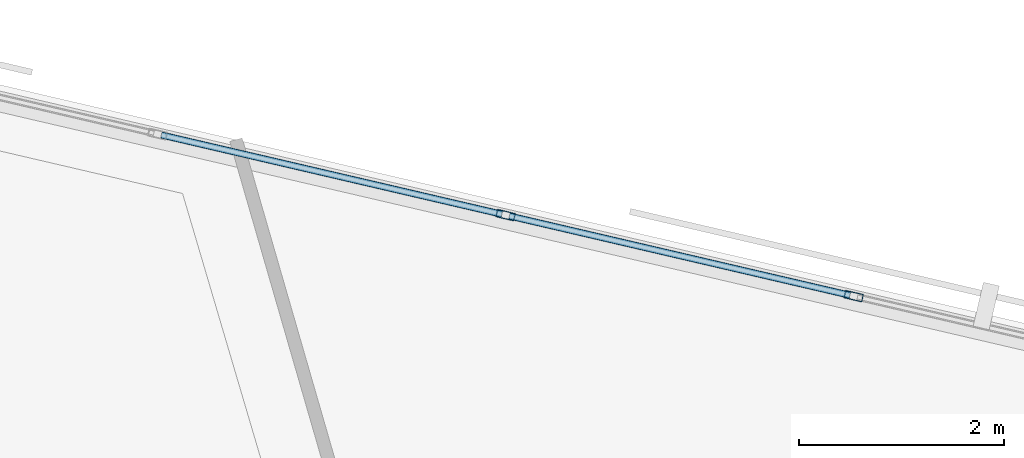
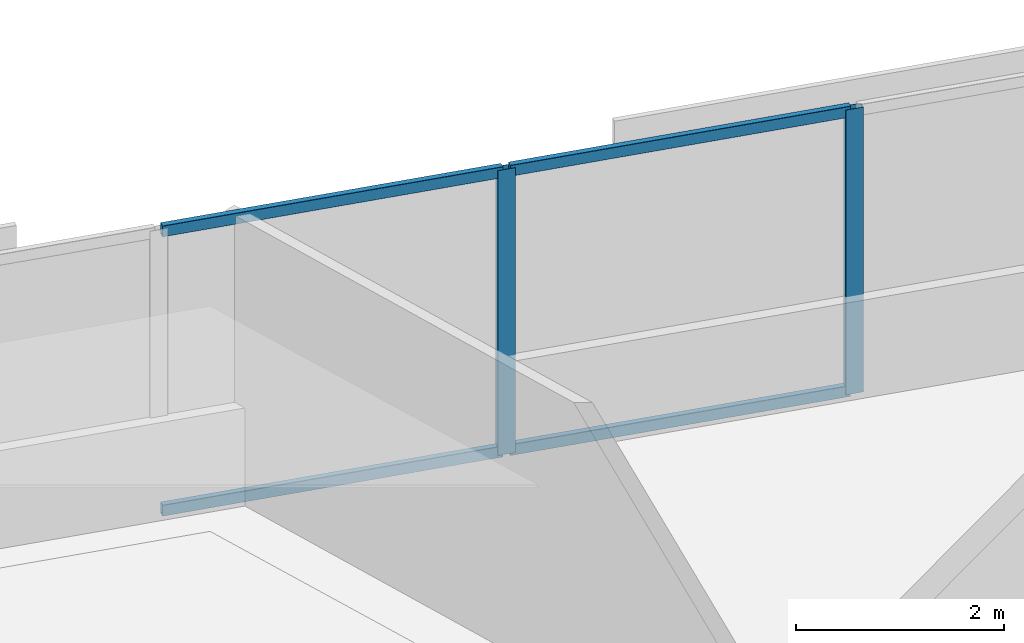
# One storey, part 7 of 13: 6 members, 1 element without a shape of its own.
"""IFC4 building model written with IfcOpenShell, lengths in metres."""

from ifc_helpers import new_model, si_unit, direction, frame, origin, origin_2d, place, context, subcontext, project, spatial, hollow_rectangle, extrude, material, material_profile, profile_set, type_object, element, aggregate, save


model = new_model("IFC4")

# Units and contexts
model_context = context("Model", 3, precision=1e-05, world=origin(), true_north=direction((0.0, 1.0)))
body_context = subcontext(model_context, "Body", "Model", "MODEL_VIEW")
ifc_project = project(units=[si_unit("LENGTHUNIT", "METRE"), si_unit("AREAUNIT", "SQUARE_METRE"), si_unit("VOLUMEUNIT", "CUBIC_METRE"), si_unit("PLANEANGLEUNIT", "RADIAN"), si_unit("MASSUNIT", "GRAM", prefix="KILO")], contexts=[model_context])

# Site, building, storey
site_placement = place(None, origin())
site = spatial("IfcSite", under=ifc_project, at=site_placement, CompositionType="ELEMENT")
building_placement = place(site_placement, origin())
building = spatial("IfcBuilding", under=site, at=building_placement, Name="Narakoshi Arena Tower", CompositionType="ELEMENT")
storey_placement = place(building_placement, frame((0.0, 0.0, 171.89990234375)))
storey = spatial("IfcBuildingStorey", under=building, at=storey_placement, Name="L46", CompositionType="ELEMENT", Elevation=171.89990234375)

# Curtain wall, members
ifc_material = material(Name="Anodised bronze aluminium 6063-T6", Category="aluminium")
curtain_wall_type = type_object("IfcCurtainWallType", Name="CW-HYP-MID", PredefinedType="NOTDEFINED", material=ifc_material)
curtain_wall_placement = place(storey_placement, origin())
curtain_wall = element("IfcCurtainWall", 1, at=curtain_wall_placement, inside=storey, type_object=curtain_wall_type, Name="L46 Folded Hypotenuse Curtain Wall 2-1", PredefinedType="NOTDEFINED")
ifc_material_profile_1 = material_profile(ifc_material, hollow_rectangle(XDim=0.074951171875, YDim=0.179931640625, WallThickness=0.00390625, OuterFilletRadius=0.0048828125, at=origin_2d()), Name="MUL180x75x4")
ifc_profile_set_1 = profile_set([ifc_material_profile_1], Name="Anodised bronze aluminium 6063-T6")
member_type_1 = type_object("IfcMemberType", Name="MEM-MUL-180", PredefinedType="MULLION", material=ifc_profile_set_1)
member_1_placement = place(storey_placement, frame((78.911376953125, 64.4443359375, 0.0), z_axis=(0.0, 0.0, 1.0), x_axis=(-0.226721182724, -0.973959704148, 0.0)))
member_1 = element("IfcMember", 2, at=member_1_placement, type_object=member_type_1, Name="CW-02 mullion 3", PredefinedType="MULLION", context=body_context, shape_type="SweptSolid", body=[
    extrude(hollow_rectangle(XDim=0.074951171875, YDim=0.179931640625, WallThickness=0.00390625, OuterFilletRadius=0.0048828125, at=origin_2d()), origin(), (0.0, 0.0, 1.0), 3.340087890625),
])
member_2_placement = place(storey_placement, frame((75.510498046875, 65.236083984375, 0.0), z_axis=(0.0, 0.0, 1.0), x_axis=(-0.226721182724, -0.973959704148, 0.0)))
member_2 = element("IfcMember", 3, at=member_2_placement, type_object=member_type_1, Name="CW-02 mullion 4", PredefinedType="MULLION", context=body_context, shape_type="SweptSolid", body=[
    extrude(hollow_rectangle(XDim=0.074951171875, YDim=0.179931640625, WallThickness=0.00390625, OuterFilletRadius=0.0048828125, at=origin_2d()), origin(), (0.0, 0.0, 1.0), 3.340087890625),
])
ifc_material_profile_2 = material_profile(ifc_material, hollow_rectangle(XDim=0.06494140625, YDim=0.1298828125, WallThickness=0.00390625, OuterFilletRadius=0.0048828125, at=origin_2d()), Name="TRN130x65x4")
ifc_profile_set_2 = profile_set([ifc_material_profile_2], Name="Anodised bronze aluminium 6063-T6")
member_type_2 = type_object("IfcMemberType", Name="MEM-TRN-130", PredefinedType="USERDEFINED", material=ifc_profile_set_2)
member_3_placement = place(storey_placement, frame((78.874755859375, 64.452880859375, 0.03271484375), z_axis=(-0.973957040336, 0.226732625751, 0.0), x_axis=(-0.226732625751, -0.973957040336, 0.0)))
member_3 = element("IfcMember", 4, at=member_3_placement, type_object=member_type_2, Name="CW-02 transom 3.1", ObjectType="TRANSOM", PredefinedType="USERDEFINED", context=body_context, shape_type="SweptSolid", body=[
    extrude(hollow_rectangle(XDim=0.06494140625, YDim=0.1298828125, WallThickness=0.00390625, OuterFilletRadius=0.0048828125, at=origin_2d()), origin(), (0.0, 0.0, 1.0), 3.41650390625),
])
member_4_placement = place(storey_placement, frame((78.874755859375, 64.452880859375, 3.3076171875), z_axis=(-0.973957040336, 0.226732625751, 0.0), x_axis=(-0.226732625751, -0.973957040336, 0.0)))
member_4 = element("IfcMember", 5, at=member_4_placement, type_object=member_type_2, Name="CW-02 transom 3.2", ObjectType="TRANSOM", PredefinedType="USERDEFINED", context=body_context, shape_type="SweptSolid", body=[
    extrude(hollow_rectangle(XDim=0.06494140625, YDim=0.1298828125, WallThickness=0.00390625, OuterFilletRadius=0.0048828125, at=origin_2d()), origin(), (0.0, 0.0, 1.0), 3.41650390625),
])
member_5_placement = place(storey_placement, frame((75.473876953125, 65.24462890625, 0.03271484375), z_axis=(-0.973957040336, 0.226732625751, 0.0), x_axis=(-0.226732625751, -0.973957040336, 0.0)))
member_5 = element("IfcMember", 6, at=member_5_placement, type_object=member_type_2, Name="CW-02 transom 4.1", ObjectType="TRANSOM", PredefinedType="USERDEFINED", context=body_context, shape_type="SweptSolid", body=[
    extrude(hollow_rectangle(XDim=0.06494140625, YDim=0.1298828125, WallThickness=0.00390625, OuterFilletRadius=0.0048828125, at=origin_2d()), origin(), (0.0, 0.0, 1.0), 3.41650390625),
])
member_6_placement = place(storey_placement, frame((75.473876953125, 65.24462890625, 3.3076171875), z_axis=(-0.973957040336, 0.226732625751, 0.0), x_axis=(-0.226732625751, -0.973957040336, 0.0)))
member_6 = element("IfcMember", 7, at=member_6_placement, type_object=member_type_2, Name="CW-02 transom 4.2", ObjectType="TRANSOM", PredefinedType="USERDEFINED", context=body_context, shape_type="SweptSolid", body=[
    extrude(hollow_rectangle(XDim=0.06494140625, YDim=0.1298828125, WallThickness=0.00390625, OuterFilletRadius=0.0048828125, at=origin_2d()), origin(), (0.0, 0.0, 1.0), 3.41650390625),
])
aggregate(curtain_wall, [member_1, member_2, member_3, member_4, member_5, member_6])

save(model, "model.ifc")
